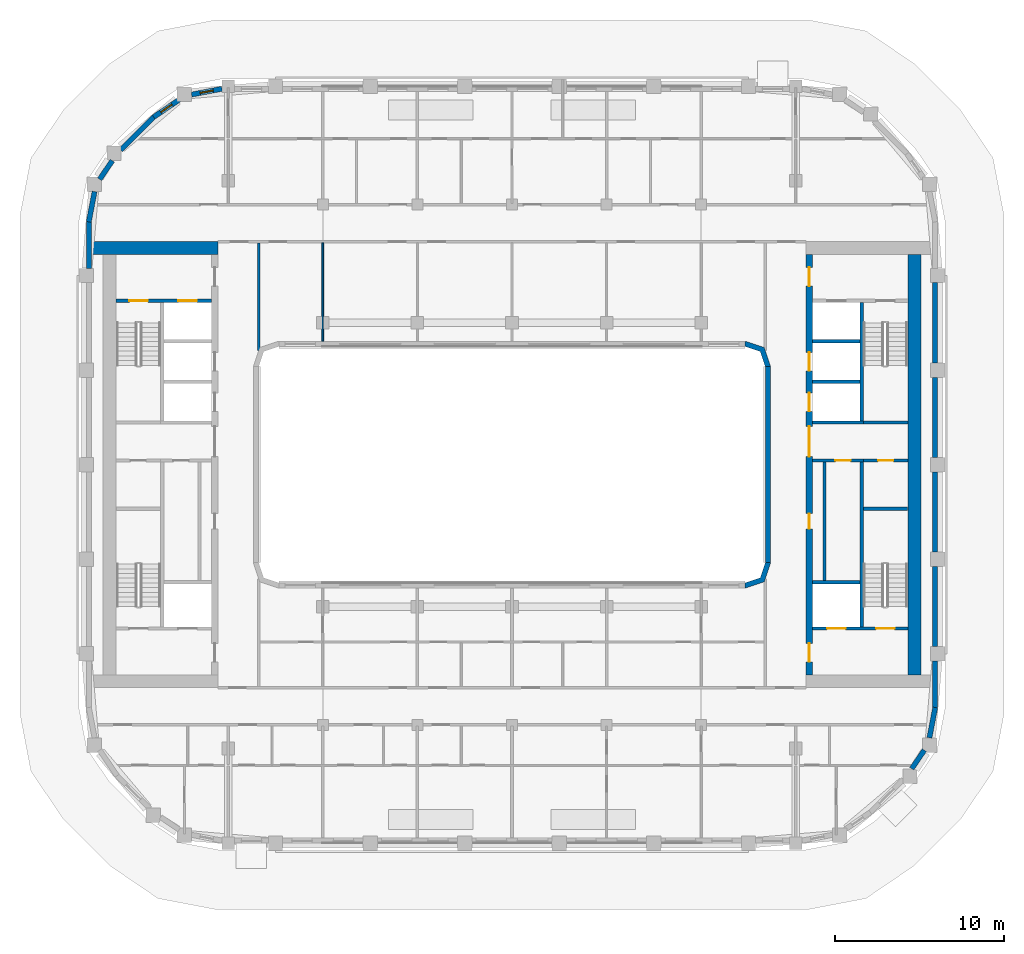
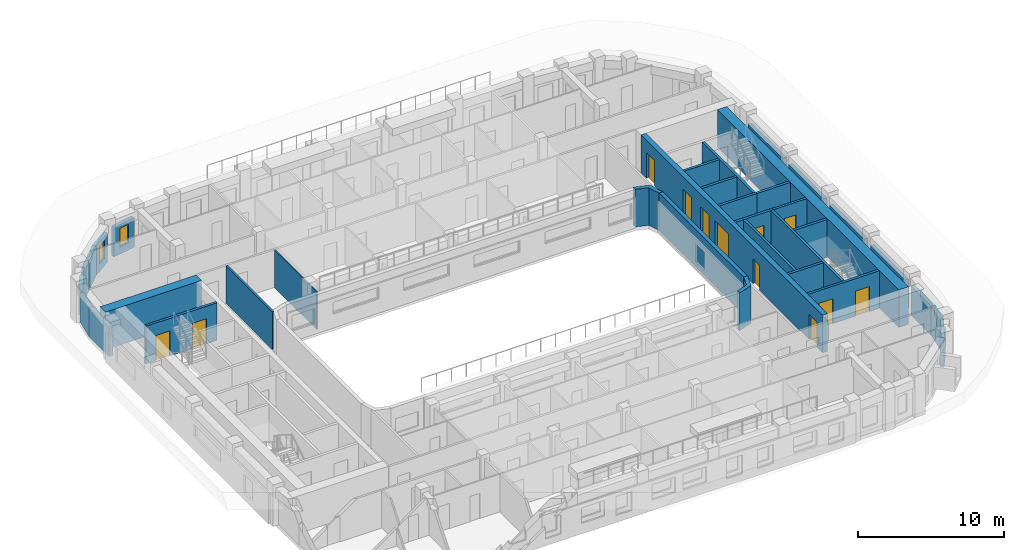
# One storey, part 6 of 16: 34 walls, 12 doors, 2 windows, 14 openings.
"""IFC4 building model written with IfcOpenShell, lengths in metres."""

from ifc_helpers import new_model, si_unit, direction, frame, frame_2d, origin, place, context, subcontext, project, spatial, polyline, rectangle, outline, extrude, material, layer, layer_set, type_object, element, fill, save


model = new_model("IFC4")

# Units and contexts
model_context = context("Model", 3, precision=1e-05, world=origin(), true_north=direction((0.0, 1.0)))
body_context = subcontext(model_context, "Body", "Model", "MODEL_VIEW")
ifc_project = project(units=[si_unit("LENGTHUNIT", "METRE"), si_unit("AREAUNIT", "SQUARE_METRE"), si_unit("VOLUMEUNIT", "CUBIC_METRE"), si_unit("PLANEANGLEUNIT", "RADIAN"), si_unit("MASSUNIT", "GRAM", prefix="KILO")], contexts=[model_context])

# Site, building, storey
site_placement = place(None, origin())
site = spatial("IfcSite", under=ifc_project, at=site_placement, CompositionType="ELEMENT")
building_placement = place(site_placement, origin())
building = spatial("IfcBuilding", under=site, at=building_placement, Name="Kiln Ring Residences", CompositionType="ELEMENT")
storey_placement = place(building_placement, frame((0.0, 0.0, 227.39990234375)))
storey = spatial("IfcBuildingStorey", under=building, at=storey_placement, Name="L59", CompositionType="ELEMENT", Elevation=227.39990234375)

# Wall, opening, door
ifc_material_1 = material(Name="Gypsum board on steel studs", Category="steel")
ifc_layer_1 = layer(ifc_material_1, 0.199951171875)
ifc_layer_set_1 = layer_set([ifc_layer_1], Name="CORE-PARTITION-200")
wall_type_1 = type_object("IfcWallType", Name="CORE-PARTITION-200", PredefinedType="PARTITIONING", material=ifc_layer_set_1)
wall_1_placement = place(storey_placement, frame((20.800048828125, 0.25, 0.0), z_axis=(0.0, 0.0, 1.0), x_axis=(1.0, 0.0, 0.0)))
wall_1 = element("IfcWall", 1, at=wall_1_placement, inside=storey, type_object=wall_type_1, Name="Core partition east L59 1", PredefinedType="PARTITIONING", context=body_context, shape_type="SweptSolid", body=[
    extrude(rectangle(XDim=2.64990234375, YDim=0.199951171875, at=frame_2d((1.324951171875, 0.0))), origin(), (0.0, 0.0, 1.0), 3.150146484375),
])
opening_1_placement = place(wall_1_placement, frame((0.875, 0.0, 0.0)))
opening_1 = element("IfcOpeningElement", 2, at=opening_1_placement, cuts=wall_1, Name="Opening L59-CE12", PredefinedType="OPENING", context=body_context, shape_type="SweptSolid", body=[
    extrude(rectangle(XDim=0.89990234375, YDim=2.10009765625, at=frame_2d((0.449951171875, 1.050048828125))), frame((0.0, 0.10986328125, 0.0), z_axis=(0.0, -1.0, 0.0), x_axis=(1.0, 0.0, 0.0)), (0.0, 0.0, 1.0), 0.219970703125),
])
ifc_material_2 = material(Name="Steel door leaf", Category="steel")
door_type_1 = type_object("IfcDoorType", Name="CORE-DOOR-ROOM", OperationType="SINGLE_SWING_LEFT", PredefinedType="DOOR", material=ifc_material_2)
door_1_placement = place(opening_1_placement, origin())
door_1 = element("IfcDoor", 3, at=door_1_placement, inside=storey, type_object=door_type_1, Name="Housekeeping store L59-CE12", OperationType="SINGLE_SWING_LEFT", OverallHeight=2.10009765625, OverallWidth=0.89990234375, PredefinedType="DOOR", context=body_context, shape_type="SweptSolid", body=[
    extrude(rectangle(XDim=0.89990234375, YDim=2.10009765625, at=frame_2d((0.449951171875, 1.050048828125))), frame((0.0, 0.02490234375, 0.0), z_axis=(0.0, -1.0, 0.0), x_axis=(1.0, 0.0, 0.0)), (0.0, 0.0, 1.0), 0.050048828125),
])
fill(opening_1, door_1)

# Walls
wall_2_placement = place(storey_placement, frame((18.5, -6.85009765625, 0.0), z_axis=(0.0, 0.0, 1.0), x_axis=(0.0, 1.0, 0.0)))
element("IfcWall", 4, at=wall_2_placement, inside=storey, type_object=wall_type_1, Name="Core partition east L59 2", PredefinedType="PARTITIONING", context=body_context, shape_type="SweptSolid", body=[
    extrude(rectangle(XDim=7.0, YDim=0.199951171875, at=frame_2d((3.5, 0.0))), origin(), (0.0, 0.0, 1.0), 3.150146484375),
])
ifc_material_3 = material(Name="Gypsum shaft wall system")
ifc_layer_2 = layer(ifc_material_3, 0.199951171875)
ifc_layer_set_2 = layer_set([ifc_layer_2], Name="CORE-SHAFT-WALL-200")
wall_type_2 = type_object("IfcWallType", Name="CORE-SHAFT-WALL-200", PredefinedType="PARTITIONING", material=ifc_layer_set_2)
wall_3_placement = place(storey_placement, frame((17.800048828125, -6.949951171875, 0.0), z_axis=(0.0, 0.0, 1.0), x_axis=(1.0, 0.0, 0.0)))
element("IfcWall", 5, at=wall_3_placement, inside=storey, type_object=wall_type_2, Name="Core partition east L59 3", PredefinedType="PARTITIONING", context=body_context, shape_type="SweptSolid", body=[
    extrude(rectangle(XDim=2.800048828125, YDim=0.199951171875, at=frame_2d((1.39990234375, 0.0))), origin(), (0.0, 0.0, 1.0), 3.150146484375),
])

# Wall, opening, door
wall_4_placement = place(storey_placement, frame((17.800048828125, 0.25, 0.0), z_axis=(0.0, 0.0, 1.0), x_axis=(1.0, 0.0, 0.0)))
wall_4 = element("IfcWall", 6, at=wall_4_placement, inside=storey, type_object=wall_type_2, Name="Core partition east L59 4", PredefinedType="PARTITIONING", context=body_context, shape_type="SweptSolid", body=[
    extrude(rectangle(XDim=3.0, YDim=0.199951171875, at=frame_2d((1.5, 0.0))), origin(), (0.0, 0.0, 1.0), 3.150146484375),
])
opening_2_placement = place(wall_4_placement, frame((1.35009765625, 0.0, 0.0)))
opening_2 = element("IfcOpeningElement", 7, at=opening_2_placement, cuts=wall_4, Name="Opening L59-CE03", PredefinedType="OPENING", context=body_context, shape_type="SweptSolid", body=[
    extrude(rectangle(XDim=0.89990234375, YDim=2.10009765625, at=frame_2d((0.449951171875, 1.050048828125))), frame((0.0, 0.10986328125, 0.0), z_axis=(0.0, -1.0, 0.0), x_axis=(1.0, 0.0, 0.0)), (0.0, 0.0, 1.0), 0.219970703125),
])
door_2_placement = place(opening_2_placement, origin())
door_2 = element("IfcDoor", 8, at=door_2_placement, inside=storey, type_object=door_type_1, Name="Goods store L59-CE03", OperationType="SINGLE_SWING_RIGHT", OverallHeight=2.10009765625, OverallWidth=0.89990234375, PredefinedType="DOOR", context=body_context, shape_type="SweptSolid", body=[
    extrude(rectangle(XDim=0.89990234375, YDim=2.10009765625, at=frame_2d((0.449951171875, 1.050048828125))), frame((0.0, 0.02490234375, 0.0), z_axis=(0.0, -1.0, 0.0), x_axis=(1.0, 0.0, 0.0)), (0.0, 0.0, 1.0), 0.050048828125),
])
fill(opening_2, door_2)

# Walls
wall_5_placement = place(storey_placement, frame((17.800048828125, 2.5, 0.0), z_axis=(0.0, 0.0, 1.0), x_axis=(1.0, 0.0, 0.0)))
element("IfcWall", 9, at=wall_5_placement, inside=storey, type_object=wall_type_2, Name="Core partition east L59 5", PredefinedType="PARTITIONING", context=body_context, shape_type="SweptSolid", body=[
    extrude(rectangle(XDim=3.0, YDim=0.199951171875, at=frame_2d((1.5, 0.0))), origin(), (0.0, 0.0, 1.0), 3.150146484375),
])
for number, where, z_axis, x_axis, name in (
    (10, (17.800048828125, 4.89990234375, 0.0), (0.0, 0.0, 1.0), (1.0, 0.0, 0.0), "Core partition east L59 6"),
    (11, (17.800048828125, 7.300048828125, 0.0), (0.0, 0.0, 1.0), (1.0, 0.0, 0.0), "Core partition east L59 7"),
):
    element("IfcWall", number, at=place(storey_placement, frame(where, z_axis=z_axis, x_axis=x_axis)), inside=storey, type_object=wall_type_2, Name=name, PredefinedType="PARTITIONING", context=body_context, shape_type="SweptSolid", body=[
        extrude(rectangle(XDim=2.800048828125, YDim=0.199951171875, at=frame_2d((1.39990234375, 0.0))), origin(), (0.0, 0.0, 1.0), 3.150146484375),
    ])

# Wall, openings, doors
ifc_material_4 = material(Name="Concrete C40/50", Category="concrete")
ifc_layer_3 = layer(ifc_material_4, 0.199951171875)
ifc_layer_set_3 = layer_set([ifc_layer_3], Name="CORE-WALL-RC200")
wall_type_3 = type_object("IfcWallType", Name="CORE-WALL-RC200", PredefinedType="SHEAR", material=ifc_layer_set_3)
wall_6_placement = place(storey_placement, frame((-17.800048828125, 9.699951171875, 0.0), z_axis=(0.0, 0.0, 1.0), x_axis=(-1.0, 0.0, 0.0)))
wall_6 = element("IfcWall", 12, at=wall_6_placement, inside=storey, type_object=wall_type_3, Name="Core wall west L59 9", PredefinedType="SHEAR", context=body_context, shape_type="SweptSolid", body=[
    extrude(rectangle(XDim=5.64990234375, YDim=0.199951171875, at=frame_2d((2.824951171875, 0.0))), origin(), (0.0, 0.0, 1.0), 3.150146484375),
])
opening_3_placement = place(wall_6_placement, frame((0.85009765625, 0.0, 0.0)))
opening_3 = element("IfcOpeningElement", 13, at=opening_3_placement, cuts=wall_6, Name="Opening L59-CW06", PredefinedType="OPENING", context=body_context, shape_type="SweptSolid", body=[
    extrude(rectangle(XDim=1.10009765625, YDim=2.10009765625, at=frame_2d((0.550048828125, 1.050048828125))), frame((0.0, 0.10986328125, 0.0), z_axis=(0.0, -1.0, 0.0), x_axis=(1.0, 0.0, 0.0)), (0.0, 0.0, 1.0), 0.219970703125),
])
opening_4_placement = place(wall_6_placement, frame((3.75, 0.0, 0.0)))
opening_4 = element("IfcOpeningElement", 14, at=opening_4_placement, cuts=wall_6, Name="Opening L59-CW09", PredefinedType="OPENING", context=body_context, shape_type="SweptSolid", body=[
    extrude(rectangle(XDim=1.10009765625, YDim=2.10009765625, at=frame_2d((0.550048828125, 1.050048828125))), frame((0.0, 0.10986328125, 0.0), z_axis=(0.0, -1.0, 0.0), x_axis=(1.0, 0.0, 0.0)), (0.0, 0.0, 1.0), 0.219970703125),
])
ifc_material_5 = material(Name="Steel door leaf", Category="steel")
door_type_2 = type_object("IfcDoorType", Name="CORE-DOOR-LD", OperationType="DOUBLE_DOOR_SLIDING", PredefinedType="DOOR", material=ifc_material_5)
door_3_placement = place(opening_3_placement, origin())
door_3 = element("IfcDoor", 15, at=door_3_placement, inside=storey, type_object=door_type_2, Name="LD W-FF L59-CW06", OperationType="DOUBLE_DOOR_SLIDING", OverallHeight=2.10009765625, OverallWidth=1.10009765625, PredefinedType="DOOR", context=body_context, shape_type="SweptSolid", body=[
    extrude(rectangle(XDim=1.10009765625, YDim=2.10009765625, at=frame_2d((0.550048828125, 1.050048828125))), frame((0.0, 0.02490234375, 0.0), z_axis=(0.0, -1.0, 0.0), x_axis=(1.0, 0.0, 0.0)), (0.0, 0.0, 1.0), 0.050048828125),
])
fill(opening_3, door_3)
ifc_material_6 = material(Name="Steel door leaf", Category="steel")
door_type_3 = type_object("IfcDoorType", Name="CORE-DOOR-STAIR", OperationType="SINGLE_SWING_LEFT", PredefinedType="DOOR", material=ifc_material_6)
door_4_placement = place(opening_4_placement, origin())
door_4 = element("IfcDoor", 16, at=door_4_placement, inside=storey, type_object=door_type_3, Name="Stair W-STN L59-CW09", OperationType="SINGLE_SWING_LEFT", OverallHeight=2.10009765625, OverallWidth=1.10009765625, PredefinedType="DOOR", context=body_context, shape_type="SweptSolid", body=[
    extrude(rectangle(XDim=1.10009765625, YDim=2.10009765625, at=frame_2d((0.550048828125, 1.050048828125))), frame((0.0, 0.02490234375, 0.0), z_axis=(0.0, -1.0, 0.0), x_axis=(1.0, 0.0, 0.0)), (0.0, 0.0, 1.0), 0.050048828125),
])
fill(opening_4, door_4)

# Walls
wall_7_placement = place(storey_placement, frame((20.699951171875, 2.60009765625, 0.0), z_axis=(0.0, 0.0, 1.0), x_axis=(0.0, 1.0, 0.0)))
element("IfcWall", 17, at=wall_7_placement, inside=storey, type_object=wall_type_3, Name="Core wall east L59 1", PredefinedType="SHEAR", context=body_context, shape_type="SweptSolid", body=[
    extrude(rectangle(XDim=7.0, YDim=0.199951171875, at=frame_2d((3.5, 0.0))), origin(), (0.0, 0.0, 1.0), 3.150146484375),
])
wall_8_placement = place(storey_placement, frame((20.699951171875, -9.60009765625, 0.0), z_axis=(0.0, 0.0, 1.0), x_axis=(0.0, 1.0, 0.0)))
element("IfcWall", 18, at=wall_8_placement, inside=storey, type_object=wall_type_3, Name="Core wall east L59 2", PredefinedType="SHEAR", context=body_context, shape_type="SweptSolid", body=[
    extrude(rectangle(XDim=9.75, YDim=0.199951171875, at=frame_2d((4.875, 0.0))), origin(), (0.0, 0.0, 1.0), 3.150146484375),
])
wall_9_placement = place(storey_placement, frame((20.800048828125, 2.5, 0.0), z_axis=(0.0, 0.0, 1.0), x_axis=(1.0, 0.0, 0.0)))
element("IfcWall", 19, at=wall_9_placement, inside=storey, type_object=wall_type_3, Name="Core wall east L59 3", PredefinedType="SHEAR", context=body_context, shape_type="SweptSolid", body=[
    extrude(rectangle(XDim=2.64990234375, YDim=0.199951171875, at=frame_2d((1.324951171875, 0.0))), origin(), (0.0, 0.0, 1.0), 3.150146484375),
])

# Wall, openings, doors
wall_10_placement = place(storey_placement, frame((17.800048828125, -9.699951171875, 0.0), z_axis=(0.0, 0.0, 1.0), x_axis=(1.0, 0.0, 0.0)))
wall_10 = element("IfcWall", 20, at=wall_10_placement, inside=storey, type_object=wall_type_3, Name="Core wall east L59 8", PredefinedType="SHEAR", context=body_context, shape_type="SweptSolid", body=[
    extrude(rectangle(XDim=5.64990234375, YDim=0.199951171875, at=frame_2d((2.824951171875, 0.0))), origin(), (0.0, 0.0, 1.0), 3.150146484375),
])
opening_5_placement = place(wall_10_placement, frame((0.85009765625, 0.0, 0.0)))
opening_5 = element("IfcOpeningElement", 21, at=opening_5_placement, cuts=wall_10, Name="Opening L59-CE01", PredefinedType="OPENING", context=body_context, shape_type="SweptSolid", body=[
    extrude(rectangle(XDim=1.10009765625, YDim=2.10009765625, at=frame_2d((0.550048828125, 1.050048828125))), frame((0.0, 0.10986328125, 0.0), z_axis=(0.0, -1.0, 0.0), x_axis=(1.0, 0.0, 0.0)), (0.0, 0.0, 1.0), 0.219970703125),
])
opening_6_placement = place(wall_10_placement, frame((3.75, 0.0, 0.0)))
opening_6 = element("IfcOpeningElement", 22, at=opening_6_placement, cuts=wall_10, Name="Opening L59-CE10", PredefinedType="OPENING", context=body_context, shape_type="SweptSolid", body=[
    extrude(rectangle(XDim=1.10009765625, YDim=2.10009765625, at=frame_2d((0.550048828125, 1.050048828125))), frame((0.0, 0.10986328125, 0.0), z_axis=(0.0, -1.0, 0.0), x_axis=(1.0, 0.0, 0.0)), (0.0, 0.0, 1.0), 0.219970703125),
])
door_5_placement = place(opening_5_placement, origin())
door_5 = element("IfcDoor", 23, at=door_5_placement, inside=storey, type_object=door_type_2, Name="LD E-SV L59-CE01", OperationType="DOUBLE_DOOR_SLIDING", OverallHeight=2.10009765625, OverallWidth=1.10009765625, PredefinedType="DOOR", context=body_context, shape_type="SweptSolid", body=[
    extrude(rectangle(XDim=1.10009765625, YDim=2.10009765625, at=frame_2d((0.550048828125, 1.050048828125))), frame((0.0, 0.02490234375, 0.0), z_axis=(0.0, -1.0, 0.0), x_axis=(1.0, 0.0, 0.0)), (0.0, 0.0, 1.0), 0.050048828125),
])
fill(opening_5, door_5)
door_6_placement = place(opening_6_placement, origin())
door_6 = element("IfcDoor", 24, at=door_6_placement, inside=storey, type_object=door_type_3, Name="Stair E-STS L59-CE10", OperationType="SINGLE_SWING_RIGHT", OverallHeight=2.10009765625, OverallWidth=1.10009765625, PredefinedType="DOOR", context=body_context, shape_type="SweptSolid", body=[
    extrude(rectangle(XDim=1.10009765625, YDim=2.10009765625, at=frame_2d((0.550048828125, 1.050048828125))), frame((0.0, 0.02490234375, 0.0), z_axis=(0.0, -1.0, 0.0), x_axis=(1.0, 0.0, 0.0)), (0.0, 0.0, 1.0), 0.050048828125),
])
fill(opening_6, door_6)

# Wall
wall_11_placement = place(storey_placement, frame((20.800048828125, -2.60009765625, 0.0), z_axis=(0.0, 0.0, 1.0), x_axis=(1.0, 0.0, 0.0)))
element("IfcWall", 25, at=wall_11_placement, inside=storey, type_object=wall_type_3, Name="Core wall east L59 10", PredefinedType="SHEAR", context=body_context, shape_type="SweptSolid", body=[
    extrude(rectangle(XDim=2.599853515625, YDim=0.199951171875, at=frame_2d((1.2998046875, 0.0))), origin(), (0.0, 0.0, 1.0), 3.150146484375),
])

# Wall, openings, doors
ifc_material_7 = material(Name="Concrete C60/75", Category="concrete")
ifc_layer_4 = layer(ifc_material_7, 0.39990234375)
ifc_layer_set_4 = layer_set([ifc_layer_4], Name="CORE-WALL-RC400")
wall_type_4 = type_object("IfcWallType", Name="CORE-WALL-RC400", PredefinedType="SHEAR", material=ifc_layer_set_4)
wall_12_placement = place(storey_placement, frame((17.60009765625, -12.449951171875, 0.0), z_axis=(0.0, 0.0, 1.0), x_axis=(0.0, 1.0, 0.0)))
wall_12 = element("IfcWall", 26, at=wall_12_placement, inside=storey, type_object=wall_type_4, Name="Core wall east L59 6", PredefinedType="SHEAR", context=body_context, shape_type="SweptSolid", body=[
    extrude(rectangle(XDim=24.89990234375, YDim=0.39990234375, at=frame_2d((12.449951171875, 0.0))), origin(), (0.0, 0.0, 1.0), 3.150146484375),
])
opening_7_placement = place(wall_12_placement, frame((8.64990234375, 0.0, 0.0)))
opening_7 = element("IfcOpeningElement", 27, at=opening_7_placement, cuts=wall_12, Name="Opening L59-CE02", PredefinedType="OPENING", context=body_context, shape_type="SweptSolid", body=[
    extrude(rectangle(XDim=0.89990234375, YDim=2.10009765625, at=frame_2d((0.449951171875, 1.050048828125))), frame((0.0, 0.2099609375, 0.0), z_axis=(0.0, -1.0, 0.0), x_axis=(1.0, 0.0, 0.0)), (0.0, 0.0, 1.0), 0.419921875),
])
opening_8_placement = place(wall_12_placement, frame((15.60009765625, 0.0, 0.0)))
opening_8 = element("IfcOpeningElement", 28, at=opening_8_placement, cuts=wall_12, Name="Opening L59-CE04", PredefinedType="OPENING", context=body_context, shape_type="SweptSolid", body=[
    extrude(rectangle(XDim=1.10009765625, YDim=2.10009765625, at=frame_2d((0.550048828125, 1.050048828125))), frame((0.0, 0.2099609375, 0.0), z_axis=(0.0, -1.0, 0.0), x_axis=(1.0, 0.0, 0.0)), (0.0, 0.0, 1.0), 0.419921875),
])
opening_9_placement = place(wall_12_placement, frame((18.0, 0.0, 0.0)))
opening_9 = element("IfcOpeningElement", 29, at=opening_9_placement, cuts=wall_12, Name="Opening L59-CE05", PredefinedType="OPENING", context=body_context, shape_type="SweptSolid", body=[
    extrude(rectangle(XDim=1.10009765625, YDim=2.10009765625, at=frame_2d((0.550048828125, 1.050048828125))), frame((0.0, 0.2099609375, 0.0), z_axis=(0.0, -1.0, 0.0), x_axis=(1.0, 0.0, 0.0)), (0.0, 0.0, 1.0), 0.419921875),
])
opening_10_placement = place(wall_12_placement, frame((23.02490234375, 0.0, 0.0)))
opening_10 = element("IfcOpeningElement", 30, at=opening_10_placement, cuts=wall_12, Name="Opening L59-CE07", PredefinedType="OPENING", context=body_context, shape_type="SweptSolid", body=[
    extrude(rectangle(XDim=1.10009765625, YDim=2.10009765625, at=frame_2d((0.550048828125, 1.050048828125))), frame((0.0, 0.2099609375, 0.0), z_axis=(0.0, -1.0, 0.0), x_axis=(1.0, 0.0, 0.0)), (0.0, 0.0, 1.0), 0.419921875),
])
opening_11_placement = place(wall_12_placement, frame((0.77490234375, 0.0, 0.0)))
opening_11 = element("IfcOpeningElement", 31, at=opening_11_placement, cuts=wall_12, Name="Opening L59-CE08", PredefinedType="OPENING", context=body_context, shape_type="SweptSolid", body=[
    extrude(rectangle(XDim=1.10009765625, YDim=2.10009765625, at=frame_2d((0.550048828125, 1.050048828125))), frame((0.0, 0.2099609375, 0.0), z_axis=(0.0, -1.0, 0.0), x_axis=(1.0, 0.0, 0.0)), (0.0, 0.0, 1.0), 0.419921875),
])
opening_12_placement = place(wall_12_placement, frame((12.925048828125, 0.0, 0.0)))
opening_12 = element("IfcOpeningElement", 32, at=opening_12_placement, cuts=wall_12, Name="Opening L59-CE11", PredefinedType="OPENING", context=body_context, shape_type="SweptSolid", body=[
    extrude(rectangle(XDim=1.800048828125, YDim=2.10009765625, at=frame_2d((0.89990234375, 1.050048828125))), frame((0.0, 0.2099609375, 0.0), z_axis=(0.0, -1.0, 0.0), x_axis=(1.0, 0.0, 0.0)), (0.0, 0.0, 1.0), 0.419921875),
])
door_7_placement = place(opening_8_placement, origin())
door_7 = element("IfcDoor", 33, at=door_7_placement, inside=storey, type_object=door_type_2, Name="LD E-M1 L59-CE04", OperationType="DOUBLE_DOOR_SLIDING", OverallHeight=2.10009765625, OverallWidth=1.10009765625, PredefinedType="DOOR", context=body_context, shape_type="SweptSolid", body=[
    extrude(rectangle(XDim=1.10009765625, YDim=2.10009765625, at=frame_2d((0.550048828125, 1.050048828125))), frame((0.0, 0.02490234375, 0.0), z_axis=(0.0, -1.0, 0.0), x_axis=(1.0, 0.0, 0.0)), (0.0, 0.0, 1.0), 0.050048828125),
])
fill(opening_8, door_7)
door_8_placement = place(opening_9_placement, origin())
door_8 = element("IfcDoor", 34, at=door_8_placement, inside=storey, type_object=door_type_2, Name="LD E-M2 L59-CE05", OperationType="DOUBLE_DOOR_SLIDING", OverallHeight=2.10009765625, OverallWidth=1.10009765625, PredefinedType="DOOR", context=body_context, shape_type="SweptSolid", body=[
    extrude(rectangle(XDim=1.10009765625, YDim=2.10009765625, at=frame_2d((0.550048828125, 1.050048828125))), frame((0.0, 0.02490234375, 0.0), z_axis=(0.0, -1.0, 0.0), x_axis=(1.0, 0.0, 0.0)), (0.0, 0.0, 1.0), 0.050048828125),
])
fill(opening_9, door_8)
ifc_material_8 = material(Name="Steel door leaf", Category="steel")
door_type_4 = type_object("IfcDoorType", Name="CORE-DOOR-LOBBY", OperationType="SINGLE_SWING_LEFT", PredefinedType="DOOR", material=ifc_material_8)
door_9_placement = place(opening_10_placement, origin())
door_9 = element("IfcDoor", 35, at=door_9_placement, inside=storey, type_object=door_type_4, Name="FFL L59-CE07", OperationType="SINGLE_SWING_LEFT", OverallHeight=2.10009765625, OverallWidth=1.10009765625, PredefinedType="DOOR", context=body_context, shape_type="SweptSolid", body=[
    extrude(rectangle(XDim=1.10009765625, YDim=2.10009765625, at=frame_2d((0.550048828125, 1.050048828125))), frame((0.0, 0.02490234375, 0.0), z_axis=(0.0, -1.0, 0.0), x_axis=(1.0, 0.0, 0.0)), (0.0, 0.0, 1.0), 0.050048828125),
])
fill(opening_10, door_9)
door_10_placement = place(opening_11_placement, origin())
door_10 = element("IfcDoor", 36, at=door_10_placement, inside=storey, type_object=door_type_4, Name="SVL L59-CE08", OperationType="SINGLE_SWING_RIGHT", OverallHeight=2.10009765625, OverallWidth=1.10009765625, PredefinedType="DOOR", context=body_context, shape_type="SweptSolid", body=[
    extrude(rectangle(XDim=1.10009765625, YDim=2.10009765625, at=frame_2d((0.550048828125, 1.050048828125))), frame((0.0, 0.02490234375, 0.0), z_axis=(0.0, -1.0, 0.0), x_axis=(1.0, 0.0, 0.0)), (0.0, 0.0, 1.0), 0.050048828125),
])
fill(opening_11, door_10)
ifc_material_9 = material(Name="Steel door leaf", Category="steel")
door_type_5 = type_object("IfcDoorType", Name="CORE-DOOR-PASS", OperationType="DOUBLE_DOOR_SINGLE_SWING", PredefinedType="DOOR", material=ifc_material_9)
door_11_placement = place(opening_12_placement, origin())
door_11 = element("IfcDoor", 37, at=door_11_placement, inside=storey, type_object=door_type_5, Name="Core passage L59-CE11", OperationType="DOUBLE_DOOR_SINGLE_SWING", OverallHeight=2.10009765625, OverallWidth=1.800048828125, PredefinedType="DOOR", context=body_context, shape_type="SweptSolid", body=[
    extrude(rectangle(XDim=1.800048828125, YDim=2.10009765625, at=frame_2d((0.89990234375, 1.050048828125))), frame((0.0, 0.02490234375, 0.0), z_axis=(0.0, -1.0, 0.0), x_axis=(1.0, 0.0, 0.0)), (0.0, 0.0, 1.0), 0.050048828125),
])
fill(opening_12, door_11)
door_12_placement = place(opening_7_placement, origin())
door_12 = element("IfcDoor", 38, at=door_12_placement, inside=storey, type_object=door_type_1, Name="Cleaner's store L59-CE02", OperationType="SINGLE_SWING_LEFT", OverallHeight=2.10009765625, OverallWidth=0.89990234375, PredefinedType="DOOR", context=body_context, shape_type="SweptSolid", body=[
    extrude(rectangle(XDim=0.89990234375, YDim=2.10009765625, at=frame_2d((0.449951171875, 1.050048828125))), frame((0.0, 0.02490234375, 0.0), z_axis=(0.0, -1.0, 0.0), x_axis=(1.0, 0.0, 0.0)), (0.0, 0.0, 1.0), 0.050048828125),
])
fill(opening_7, door_12)

# Walls
ifc_material_10 = material(Name="Concrete C60/75", Category="concrete")
ifc_layer_5 = layer(ifc_material_10, 0.75)
ifc_layer_set_5 = layer_set([ifc_layer_5], Name="CORE-WALL-RC750")
wall_type_5 = type_object("IfcWallType", Name="CORE-WALL-RC750", PredefinedType="SHEAR", material=ifc_layer_set_5)
wall_13_placement = place(storey_placement, frame((-17.39990234375, 12.824951171875, 0.0), z_axis=(0.0, 0.0, 1.0), x_axis=(-1.0, 0.0, 0.0)))
element("IfcWall", 39, at=wall_13_placement, inside=storey, type_object=wall_type_5, Name="Core wall west L59 4", PredefinedType="SHEAR", context=body_context, shape_type="SweptSolid", body=[
    extrude(rectangle(XDim=7.60009765625, YDim=0.75, at=frame_2d((3.800048828125, 0.0))), origin(), (0.0, 0.0, 1.0), 3.150146484375),
])
wall_14_placement = place(storey_placement, frame((23.824951171875, -12.449951171875, 0.0), z_axis=(0.0, 0.0, 1.0), x_axis=(0.0, 1.0, 0.0)))
element("IfcWall", 40, at=wall_14_placement, inside=storey, type_object=wall_type_5, Name="Core wall east L59 7", PredefinedType="SHEAR", context=body_context, shape_type="SweptSolid", body=[
    extrude(rectangle(XDim=24.89990234375, YDim=0.75, at=frame_2d((12.449951171875, 0.0))), origin(), (0.0, 0.0, 1.0), 3.150146484375),
])
ifc_material_11 = material(Name="Brick masonry, dark clay brick", Category="masonry")
ifc_layer_6 = layer(ifc_material_11, 0.300048828125)
ifc_layer_set_6 = layer_set([ifc_layer_6], Name="EW-300 BRICK WALL")
wall_type_6 = type_object("IfcWallType", Name="EW-300 BRICK WALL", PredefinedType="SOLIDWALL", material=ifc_layer_set_6)
wall_15_placement = place(storey_placement, frame((23.662109375, -17.995849609375, 0.0), z_axis=(0.0, 0.0, 1.0), x_axis=(0.562149004813, 0.827035970432, 0.0)))
element("IfcWall", 41, at=wall_15_placement, inside=storey, type_object=wall_type_6, Name="Facade wall L59 14", PredefinedType="SOLIDWALL", context=body_context, shape_type="SweptSolid", body=[
    extrude(rectangle(XDim=1.3271484375, YDim=0.300048828125, at=frame_2d((0.66357421875, 0.0))), origin(), (0.0, 0.0, 1.0), 2.4501953125),
])
wall_16_placement = place(storey_placement, frame((24.70947265625, -16.170654296875, 0.0), z_axis=(0.0, 0.0, 1.0), x_axis=(0.187442908742, 0.982275499014, 0.0)))
element("IfcWall", 42, at=wall_16_placement, inside=storey, type_object=wall_type_6, Name="Facade wall L59 15", PredefinedType="SOLIDWALL", context=body_context, shape_type="SweptSolid", body=[
    extrude(rectangle(XDim=1.831298828125, YDim=0.300048828125, at=frame_2d((0.91552734375, 0.0))), origin(), (0.0, 0.0, 1.0), 2.4501953125),
])
wall_17_placement = place(storey_placement, frame((25.050048828125, -14.39990234375, 0.0), z_axis=(0.0, 0.0, 1.0), x_axis=(0.0, 1.0, 0.0)))
element("IfcWall", 43, at=wall_17_placement, inside=storey, type_object=wall_type_6, Name="Facade wall L59 16", PredefinedType="SOLIDWALL", context=body_context, shape_type="SweptSolid", body=[
    extrude(rectangle(XDim=2.77490234375, YDim=0.300048828125, at=frame_2d((1.387451171875, 0.0))), origin(), (0.0, 0.0, 1.0), 2.4501953125),
])
for number, where, z_axis, x_axis, name in (
    (44, (25.050048828125, -10.77490234375, 0.0), (0.0, 0.0, 1.0), (0.0, 1.0, 0.0), "Facade wall L59 17"),
    (45, (25.050048828125, -5.175048828125, 0.0), (0.0, 0.0, 1.0), (0.0, 1.0, 0.0), "Facade wall L59 18"),
    (46, (25.050048828125, 0.425048828125, 0.0), (0.0, 0.0, 1.0), (0.0, 1.0, 0.0), "Facade wall L59 19"),
    (47, (25.050048828125, 6.02490234375, 0.0), (0.0, 0.0, 1.0), (0.0, 1.0, 0.0), "Facade wall L59 20"),
):
    element("IfcWall", number, at=place(storey_placement, frame(where, z_axis=z_axis, x_axis=x_axis)), inside=storey, type_object=wall_type_6, Name=name, PredefinedType="SOLIDWALL", context=body_context, shape_type="SweptSolid", body=[
        extrude(rectangle(XDim=4.75, YDim=0.300048828125, at=frame_2d((2.375, 0.0))), origin(), (0.0, 0.0, 1.0), 2.4501953125),
    ])

# Wall, opening, window
wall_18_placement = place(storey_placement, frame((-17.171875, 22.252685546875, 0.0), z_axis=(0.0, 0.0, 1.0), x_axis=(-0.982300037503, -0.187314271538, 0.0)))
wall_18 = element("IfcWall", 48, at=wall_18_placement, inside=storey, type_object=wall_type_6, Name="Facade wall L59 34", PredefinedType="SOLIDWALL", context=body_context, shape_type="SweptSolid", body=[
    extrude(rectangle(XDim=1.831298828125, YDim=0.300048828125, at=frame_2d((0.91552734375, 0.0))), origin(), (0.0, 0.0, 1.0), 2.4501953125),
])
opening_13_placement = place(wall_18_placement, frame((0.515625, 0.0, 0.60009765625)))
opening_13 = element("IfcOpeningElement", 49, at=opening_13_placement, cuts=wall_18, Name="Opening W5", PredefinedType="OPENING", context=body_context, shape_type="SweptSolid", body=[
    extrude(rectangle(XDim=0.800048828125, YDim=1.550048828125, at=frame_2d((0.39990234375, 0.77490234375))), frame((0.0, 0.159912109375, 0.0), z_axis=(0.0, -1.0, 0.0), x_axis=(1.0, 0.0, 0.0)), (0.0, 0.0, 1.0), 0.320068359375),
])
ifc_material_12 = material(Name="Aluminium frame with double glazing", Category="aluminium")
window_type = type_object("IfcWindowType", Name="WINDOW 800 x 1550", PartitioningType="SINGLE_PANEL", PredefinedType="WINDOW", material=ifc_material_12)
window_1_placement = place(opening_13_placement, origin())
window_1 = element("IfcWindow", 50, at=window_1_placement, inside=storey, type_object=window_type, Name="Window L59 32", OverallHeight=1.550048828125, OverallWidth=0.800048828125, PartitioningType="SINGLE_PANEL", PredefinedType="WINDOW", context=body_context, shape_type="SweptSolid", body=[
    extrude(rectangle(XDim=0.800048828125, YDim=1.550048828125, at=frame_2d((0.39990234375, 0.77490234375))), frame((0.0, 0.030029296875, 0.0), z_axis=(0.0, -1.0, 0.0), x_axis=(1.0, 0.0, 0.0)), (0.0, 0.0, 1.0), 0.06005859375),
])
fill(opening_13, window_1)

wall_19_placement = place(storey_placement, frame((-19.6982421875, 21.608154296875, 0.0), z_axis=(0.0, 0.0, 1.0), x_axis=(-0.82705295608, -0.562124014644, 0.0)))
wall_19 = element("IfcWall", 51, at=wall_19_placement, inside=storey, type_object=wall_type_6, Name="Facade wall L59 35", PredefinedType="SOLIDWALL", context=body_context, shape_type="SweptSolid", body=[
    extrude(rectangle(XDim=1.8310546875, YDim=0.300048828125, at=frame_2d((0.91552734375, 0.0))), origin(), (0.0, 0.0, 1.0), 2.4501953125),
])
opening_14_placement = place(wall_19_placement, frame((0.515625, 0.0, 0.60009765625)))
opening_14 = element("IfcOpeningElement", 52, at=opening_14_placement, cuts=wall_19, Name="Opening W5", PredefinedType="OPENING", context=body_context, shape_type="SweptSolid", body=[
    extrude(rectangle(XDim=0.800048828125, YDim=1.550048828125, at=frame_2d((0.39990234375, 0.77490234375))), frame((0.0, 0.159912109375, 0.0), z_axis=(0.0, -1.0, 0.0), x_axis=(1.0, 0.0, 0.0)), (0.0, 0.0, 1.0), 0.320068359375),
])
window_2_placement = place(opening_14_placement, origin())
window_2 = element("IfcWindow", 53, at=window_2_placement, inside=storey, type_object=window_type, Name="Window L59 33", OverallHeight=1.550048828125, OverallWidth=0.800048828125, PartitioningType="SINGLE_PANEL", PredefinedType="WINDOW", context=body_context, shape_type="SweptSolid", body=[
    extrude(rectangle(XDim=0.800048828125, YDim=1.550048828125, at=frame_2d((0.39990234375, 0.77490234375))), frame((0.0, 0.030029296875, 0.0), z_axis=(0.0, -1.0, 0.0), x_axis=(1.0, 0.0, 0.0)), (0.0, 0.0, 1.0), 0.06005859375),
])
fill(opening_14, window_2)

# Walls
wall_20_placement = place(storey_placement, frame((-21.19091796875, 20.596923828125, 0.0), z_axis=(0.0, 0.0, 1.0), x_axis=(-0.707150767798, -0.707062791838, 0.0)))
element("IfcWall", 54, at=wall_20_placement, inside=storey, type_object=wall_type_6, Name="Facade wall L59 36", PredefinedType="SOLIDWALL", context=body_context, shape_type="SweptSolid", body=[
    extrude(rectangle(XDim=2.775146484375, YDim=0.300048828125, at=frame_2d((1.3876953125, 0.0))), origin(), (0.0, 0.0, 1.0), 2.4501953125),
])
wall_21_placement = place(storey_placement, frame((-23.662109375, 17.995849609375, 0.0), z_axis=(0.0, 0.0, 1.0), x_axis=(-0.562149004813, -0.827035970432, 0.0)))
element("IfcWall", 55, at=wall_21_placement, inside=storey, type_object=wall_type_6, Name="Facade wall L59 37", PredefinedType="SOLIDWALL", context=body_context, shape_type="SweptSolid", body=[
    extrude(rectangle(XDim=1.3271484375, YDim=0.300048828125, at=frame_2d((0.66357421875, 0.0))), origin(), (0.0, 0.0, 1.0), 2.4501953125),
])
wall_22_placement = place(storey_placement, frame((-24.70947265625, 16.170654296875, 0.0), z_axis=(0.0, 0.0, 1.0), x_axis=(-0.187442908742, -0.982275499014, 0.0)))
element("IfcWall", 56, at=wall_22_placement, inside=storey, type_object=wall_type_6, Name="Facade wall L59 38", PredefinedType="SOLIDWALL", context=body_context, shape_type="SweptSolid", body=[
    extrude(rectangle(XDim=1.831298828125, YDim=0.300048828125, at=frame_2d((0.91552734375, 0.0))), origin(), (0.0, 0.0, 1.0), 2.4501953125),
])
wall_23_placement = place(storey_placement, frame((-25.050048828125, 14.39990234375, 0.0), z_axis=(0.0, 0.0, 1.0), x_axis=(0.0, -1.0, 0.0)))
element("IfcWall", 57, at=wall_23_placement, inside=storey, type_object=wall_type_6, Name="Facade wall L59 39", PredefinedType="SOLIDWALL", context=body_context, shape_type="SweptSolid", body=[
    extrude(rectangle(XDim=2.77490234375, YDim=0.300048828125, at=frame_2d((1.387451171875, 0.0))), origin(), (0.0, 0.0, 1.0), 2.4501953125),
])
wall_24_placement = place(storey_placement, frame((15.14990234375, 5.800048828125, 0.0), z_axis=(0.0, 0.0, 1.0), x_axis=(0.0, -1.0, 0.0)))
element("IfcWall", 58, at=wall_24_placement, inside=storey, type_object=wall_type_6, Name="Facade wall L59 49", PredefinedType="SOLIDWALL", context=body_context, shape_type="SweptSolid", body=[
    extrude(rectangle(XDim=11.60009765625, YDim=0.300048828125, at=frame_2d((5.800048828125, 0.0))), origin(), (0.0, 0.0, 1.0), 3.150146484375),
])
placement = place(storey_placement, origin())
element("IfcWall", 59, at=placement, inside=storey, type_object=wall_type_6, Name="Corner wall L59 2", PredefinedType="SOLIDWALL", context=body_context, shape_type="SweptSolid", body=[
    extrude(outline(polyline([(14.937255859375, 6.937255859375), (13.8486328125, 7.300048828125), (13.800048828125, 7.300048828125), (13.800048828125, 7.0), (14.699951171875, 6.699951171875), (15.0, 5.800048828125), (15.300048828125, 5.800048828125), (15.300048828125, 5.8486328125), (14.937255859375, 6.937255859375)])), origin(), (0.0, 0.0, 1.0), 3.150146484375),
])
element("IfcWall", 60, at=placement, inside=storey, type_object=wall_type_6, Name="Corner wall L59 3", PredefinedType="SOLIDWALL", context=body_context, shape_type="SweptSolid", body=[
    extrude(outline(polyline([(14.937255859375, -6.937255859375), (15.300048828125, -5.8486328125), (15.300048828125, -5.800048828125), (15.0, -5.800048828125), (14.699951171875, -6.699951171875), (13.800048828125, -7.0), (13.800048828125, -7.300048828125), (13.8486328125, -7.300048828125), (14.937255859375, -6.937255859375)])), origin(), (0.0, 0.0, 1.0), 3.150146484375),
])
ifc_material_13 = material(Name="Gypsum board on steel studs", Category="steel")
ifc_layer_7 = layer(ifc_material_13, 0.10009765625)
ifc_layer_set_7 = layer_set([ifc_layer_7], Name="PARTITION-100")
wall_type_7 = type_object("IfcWallType", Name="PARTITION-100", PredefinedType="PARTITIONING", material=ifc_layer_set_7)
wall_27_placement = place(storey_placement, frame((-11.199951171875, 7.320068359375, 0.0), z_axis=(0.0, 0.0, 1.0), x_axis=(0.0, 1.0, 0.0)))
element("IfcWall", 61, at=wall_27_placement, inside=storey, type_object=wall_type_7, Name="Partition 018", PredefinedType="PARTITIONING", context=body_context, shape_type="SweptSolid", body=[
    extrude(rectangle(XDim=5.804931640625, YDim=0.10009765625, at=frame_2d((2.90234375, 0.0))), origin(), (0.0, 0.0, 1.0), 3.150146484375),
])
ifc_material_14 = material(Name="Brick masonry partition", Category="masonry")
ifc_layer_8 = layer(ifc_material_14, 0.14990234375)
ifc_layer_set_8 = layer_set([ifc_layer_8], Name="PARTITION-150-ei60")
wall_type_8 = type_object("IfcWallType", Name="PARTITION-150-ei60", PredefinedType="PARTITIONING", material=ifc_layer_set_8)
wall_28_placement = place(storey_placement, frame((-15.0, 6.768798828125, 0.0), z_axis=(0.0, 0.0, 1.0), x_axis=(0.0, 1.0, 0.0)))
element("IfcWall", 62, at=wall_28_placement, inside=storey, type_object=wall_type_8, Name="Partition 014", PredefinedType="PARTITIONING", context=body_context, shape_type="SweptSolid", body=[
    extrude(rectangle(XDim=6.356201171875, YDim=0.14990234375, at=frame_2d((3.17822265625, 0.0))), origin(), (0.0, 0.0, 1.0), 3.150146484375),
])

save(model, "model.ifc")
